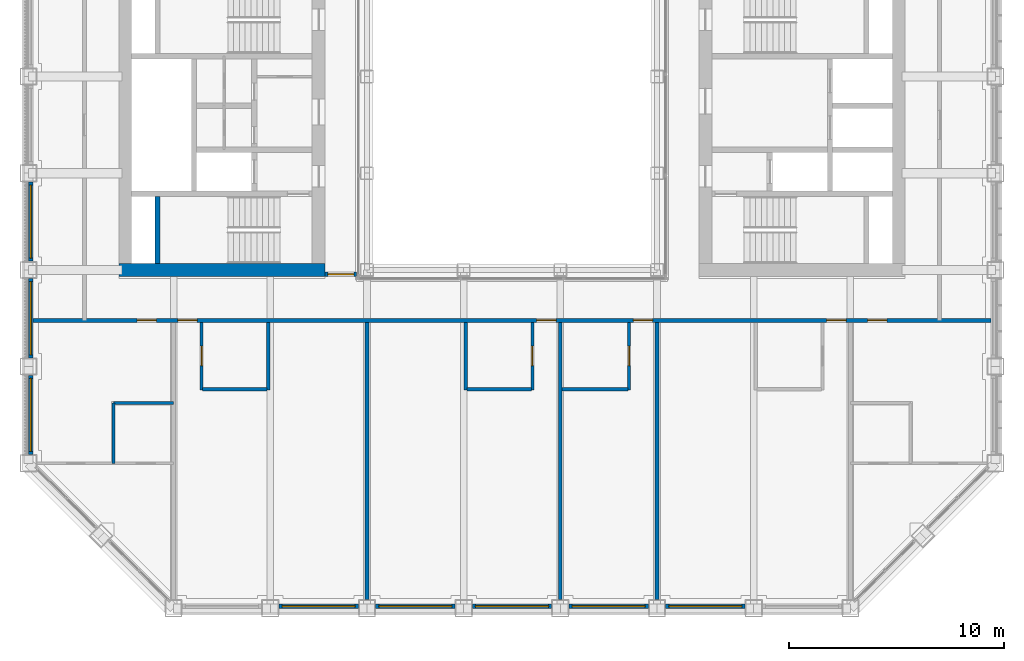
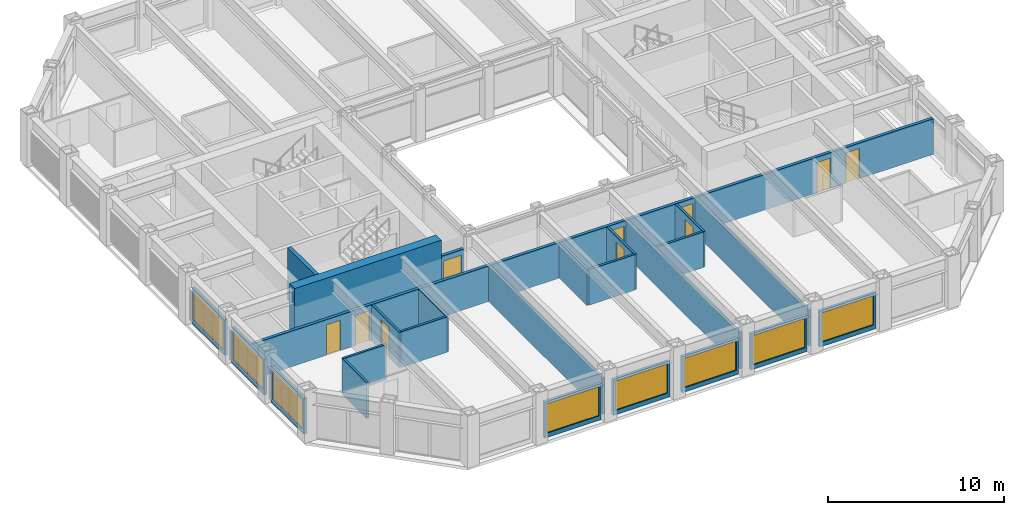
# One storey, part 10 of 17: 25 walls, 10 doors, 8 windows, 18 openings.
"""IFC4 building model written with IfcOpenShell, lengths in metres."""

from ifc_helpers import new_model, si_unit, direction, frame, frame_2d, origin, place, context, subcontext, project, spatial, rectangle, extrude, material, layer, layer_set, type_object, element, fill, save


model = new_model("IFC4")

# Units and contexts
model_context = context("Model", 3, precision=1e-05, world=origin(), true_north=direction((0.0, 1.0)))
body_context = subcontext(model_context, "Body", "Model", "MODEL_VIEW")
ifc_project = project(units=[si_unit("LENGTHUNIT", "METRE"), si_unit("AREAUNIT", "SQUARE_METRE"), si_unit("VOLUMEUNIT", "CUBIC_METRE"), si_unit("PLANEANGLEUNIT", "RADIAN"), si_unit("MASSUNIT", "GRAM", prefix="KILO")], contexts=[model_context])

# Site, building, storey
site_placement = place(None, origin())
site = spatial("IfcSite", under=ifc_project, at=site_placement, CompositionType="ELEMENT")
building_placement = place(site_placement, origin())
building = spatial("IfcBuilding", under=site, at=building_placement, Name="Msasa Ring Tower", CompositionType="ELEMENT")
storey_placement = place(building_placement, frame((0.0, 0.0, 168.800048828125)))
storey = spatial("IfcBuildingStorey", under=building, at=storey_placement, Name="L44", CompositionType="ELEMENT", Elevation=168.800048828125)

# Walls
ifc_material_1 = material(Name="Concrete C60/75", Category="concrete")
ifc_layer_1 = layer(ifc_material_1, 0.60009765625)
ifc_layer_set_1 = layer_set([ifc_layer_1], Name="CW2 CORE WALL 600")
wall_type_1 = type_object("IfcWallType", Name="CW2 CORE WALL 600", PredefinedType="SHEAR", material=ifc_layer_set_1)
wall_1_placement = place(storey_placement, frame((-8.699951171875, -6.75, 0.0), z_axis=(0.0, 0.0, 1.0), x_axis=(-1.0, 0.0, 0.0)))
element("IfcWall", 1, at=wall_1_placement, inside=storey, type_object=wall_type_1, Name="W core wall S L44", PredefinedType="SHEAR", context=body_context, shape_type="SweptSolid", body=[
    extrude(rectangle(XDim=9.60009765625, YDim=0.60009765625, at=frame_2d((4.800048828125, 0.0))), origin(), (0.0, 0.0, 1.0), 3.599853515625),
])
ifc_material_2 = material(Name="Concrete C60/75", Category="concrete")
ifc_layer_2 = layer(ifc_material_2, 0.25)
ifc_layer_set_2 = layer_set([ifc_layer_2], Name="CW4 CORE INNER WALL 250")
wall_type_2 = type_object("IfcWallType", Name="CW4 CORE INNER WALL 250", PredefinedType="SHEAR", material=ifc_layer_set_2)
wall_2_placement = place(storey_placement, frame((-16.5, -6.449951171875, 0.0), z_axis=(0.0, 0.0, 1.0), x_axis=(0.0, 1.0, 0.0)))
element("IfcWall", 2, at=wall_2_placement, inside=storey, type_object=wall_type_2, Name="W core wall RISERA L44", PredefinedType="SHEAR", context=body_context, shape_type="SweptSolid", body=[
    extrude(rectangle(XDim=3.125, YDim=0.25, at=frame_2d((1.5625, 0.0))), origin(), (0.0, 0.0, 1.0), 3.599853515625),
])

# Wall, opening, window
ifc_material_3 = material(Name="Terracotta rainscreen on blockwork", Category="masonry")
ifc_layer_3 = layer(ifc_material_3, 0.199951171875)
ifc_layer_set_3 = layer_set([ifc_layer_3], Name="FW1 TERRACOTTA-LINED INFILL BAY WALL 200")
wall_type_3 = type_object("IfcWallType", Name="FW1 TERRACOTTA-LINED INFILL BAY WALL 200", PredefinedType="SOLIDWALL", material=ifc_layer_set_3)
wall_3_placement = place(storey_placement, frame((-10.844970703125, -22.39990234375, 0.0), z_axis=(0.0, 0.0, 1.0), x_axis=(1.0, 0.0, 0.0)))
wall_3 = element("IfcWall", 3, at=wall_3_placement, inside=storey, type_object=wall_type_3, Name="Infill bay wall S L44 01", PredefinedType="SOLIDWALL", context=body_context, shape_type="SweptSolid", body=[
    extrude(rectangle(XDim=3.68994140625, YDim=0.199951171875, at=frame_2d((1.844970703125, 0.0))), origin(), (0.0, 0.0, 1.0), 2.47900390625),
])
opening_1_placement = place(wall_3_placement, frame((0.14501953125, 0.0, 0.300048828125)))
opening_1 = element("IfcOpeningElement", 4, at=opening_1_placement, cuts=wall_3, Name="Opening WN2", PredefinedType="OPENING", context=body_context, shape_type="SweptSolid", body=[
    extrude(rectangle(XDim=3.39990234375, YDim=2.029052734375, at=frame_2d((1.699951171875, 1.0146484375))), frame((0.0, 0.10986328125, 0.0), z_axis=(0.0, -1.0, 0.0), x_axis=(1.0, 0.0, 0.0)), (0.0, 0.0, 1.0), 0.219970703125),
])
ifc_material_4 = material(Name="Aluminium frame with clear glass", Category="aluminium")
window_type = type_object("IfcWindowType", Name="WN2 GUEST ROOM WINDOW 3400x2029", PartitioningType="SINGLE_PANEL", PredefinedType="WINDOW", material=ifc_material_4)
window_1_placement = place(opening_1_placement, origin())
window_1 = element("IfcWindow", 5, at=window_1_placement, inside=storey, type_object=window_type, Name="Window S L44 01", OverallHeight=2.029052734375, OverallWidth=3.39990234375, PartitioningType="SINGLE_PANEL", PredefinedType="WINDOW", context=body_context, shape_type="SweptSolid", body=[
    extrude(rectangle(XDim=3.39990234375, YDim=2.029052734375, at=frame_2d((1.699951171875, 1.0146484375))), frame((0.0, 0.030029296875, 0.0), z_axis=(0.0, -1.0, 0.0), x_axis=(1.0, 0.0, 0.0)), (0.0, 0.0, 1.0), 0.06005859375),
])
fill(opening_1, window_1)

wall_4_placement = place(storey_placement, frame((-6.344970703125, -22.39990234375, 0.0), z_axis=(0.0, 0.0, 1.0), x_axis=(1.0, 0.0, 0.0)))
wall_4 = element("IfcWall", 6, at=wall_4_placement, inside=storey, type_object=wall_type_3, Name="Infill bay wall S L44 02", PredefinedType="SOLIDWALL", context=body_context, shape_type="SweptSolid", body=[
    extrude(rectangle(XDim=3.68994140625, YDim=0.199951171875, at=frame_2d((1.844970703125, 0.0))), origin(), (0.0, 0.0, 1.0), 2.47900390625),
])
opening_2_placement = place(wall_4_placement, frame((0.14501953125, 0.0, 0.300048828125)))
opening_2 = element("IfcOpeningElement", 7, at=opening_2_placement, cuts=wall_4, Name="Opening WN2", PredefinedType="OPENING", context=body_context, shape_type="SweptSolid", body=[
    extrude(rectangle(XDim=3.39990234375, YDim=2.029052734375, at=frame_2d((1.699951171875, 1.0146484375))), frame((0.0, 0.10986328125, 0.0), z_axis=(0.0, -1.0, 0.0), x_axis=(1.0, 0.0, 0.0)), (0.0, 0.0, 1.0), 0.219970703125),
])
window_2_placement = place(opening_2_placement, origin())
window_2 = element("IfcWindow", 8, at=window_2_placement, inside=storey, type_object=window_type, Name="Window S L44 02", OverallHeight=2.029052734375, OverallWidth=3.39990234375, PartitioningType="SINGLE_PANEL", PredefinedType="WINDOW", context=body_context, shape_type="SweptSolid", body=[
    extrude(rectangle(XDim=3.39990234375, YDim=2.029052734375, at=frame_2d((1.699951171875, 1.0146484375))), frame((0.0, 0.030029296875, 0.0), z_axis=(0.0, -1.0, 0.0), x_axis=(1.0, 0.0, 0.0)), (0.0, 0.0, 1.0), 0.06005859375),
])
fill(opening_2, window_2)

wall_5_placement = place(storey_placement, frame((-1.844970703125, -22.39990234375, 0.0), z_axis=(0.0, 0.0, 1.0), x_axis=(1.0, 0.0, 0.0)))
wall_5 = element("IfcWall", 9, at=wall_5_placement, inside=storey, type_object=wall_type_3, Name="Infill bay wall S L44 03", PredefinedType="SOLIDWALL", context=body_context, shape_type="SweptSolid", body=[
    extrude(rectangle(XDim=3.68994140625, YDim=0.199951171875, at=frame_2d((1.844970703125, 0.0))), origin(), (0.0, 0.0, 1.0), 2.47900390625),
])
opening_3_placement = place(wall_5_placement, frame((0.14501953125, 0.0, 0.300048828125)))
opening_3 = element("IfcOpeningElement", 10, at=opening_3_placement, cuts=wall_5, Name="Opening WN2", PredefinedType="OPENING", context=body_context, shape_type="SweptSolid", body=[
    extrude(rectangle(XDim=3.39990234375, YDim=2.029052734375, at=frame_2d((1.699951171875, 1.0146484375))), frame((0.0, 0.10986328125, 0.0), z_axis=(0.0, -1.0, 0.0), x_axis=(1.0, 0.0, 0.0)), (0.0, 0.0, 1.0), 0.219970703125),
])
window_3_placement = place(opening_3_placement, origin())
window_3 = element("IfcWindow", 11, at=window_3_placement, inside=storey, type_object=window_type, Name="Window S L44 03", OverallHeight=2.029052734375, OverallWidth=3.39990234375, PartitioningType="SINGLE_PANEL", PredefinedType="WINDOW", context=body_context, shape_type="SweptSolid", body=[
    extrude(rectangle(XDim=3.39990234375, YDim=2.029052734375, at=frame_2d((1.699951171875, 1.0146484375))), frame((0.0, 0.030029296875, 0.0), z_axis=(0.0, -1.0, 0.0), x_axis=(1.0, 0.0, 0.0)), (0.0, 0.0, 1.0), 0.06005859375),
])
fill(opening_3, window_3)

wall_6_placement = place(storey_placement, frame((2.655029296875, -22.39990234375, 0.0), z_axis=(0.0, 0.0, 1.0), x_axis=(1.0, 0.0, 0.0)))
wall_6 = element("IfcWall", 12, at=wall_6_placement, inside=storey, type_object=wall_type_3, Name="Infill bay wall S L44 04", PredefinedType="SOLIDWALL", context=body_context, shape_type="SweptSolid", body=[
    extrude(rectangle(XDim=3.68994140625, YDim=0.199951171875, at=frame_2d((1.844970703125, 0.0))), origin(), (0.0, 0.0, 1.0), 2.47900390625),
])
opening_4_placement = place(wall_6_placement, frame((0.14501953125, 0.0, 0.300048828125)))
opening_4 = element("IfcOpeningElement", 13, at=opening_4_placement, cuts=wall_6, Name="Opening WN2", PredefinedType="OPENING", context=body_context, shape_type="SweptSolid", body=[
    extrude(rectangle(XDim=3.39990234375, YDim=2.029052734375, at=frame_2d((1.699951171875, 1.0146484375))), frame((0.0, 0.10986328125, 0.0), z_axis=(0.0, -1.0, 0.0), x_axis=(1.0, 0.0, 0.0)), (0.0, 0.0, 1.0), 0.219970703125),
])
window_4_placement = place(opening_4_placement, origin())
window_4 = element("IfcWindow", 14, at=window_4_placement, inside=storey, type_object=window_type, Name="Window S L44 04", OverallHeight=2.029052734375, OverallWidth=3.39990234375, PartitioningType="SINGLE_PANEL", PredefinedType="WINDOW", context=body_context, shape_type="SweptSolid", body=[
    extrude(rectangle(XDim=3.39990234375, YDim=2.029052734375, at=frame_2d((1.699951171875, 1.0146484375))), frame((0.0, 0.030029296875, 0.0), z_axis=(0.0, -1.0, 0.0), x_axis=(1.0, 0.0, 0.0)), (0.0, 0.0, 1.0), 0.06005859375),
])
fill(opening_4, window_4)

wall_7_placement = place(storey_placement, frame((7.155029296875, -22.39990234375, 0.0), z_axis=(0.0, 0.0, 1.0), x_axis=(1.0, 0.0, 0.0)))
wall_7 = element("IfcWall", 15, at=wall_7_placement, inside=storey, type_object=wall_type_3, Name="Infill bay wall S L44 05", PredefinedType="SOLIDWALL", context=body_context, shape_type="SweptSolid", body=[
    extrude(rectangle(XDim=3.68994140625, YDim=0.199951171875, at=frame_2d((1.844970703125, 0.0))), origin(), (0.0, 0.0, 1.0), 2.47900390625),
])
opening_5_placement = place(wall_7_placement, frame((0.14501953125, 0.0, 0.300048828125)))
opening_5 = element("IfcOpeningElement", 16, at=opening_5_placement, cuts=wall_7, Name="Opening WN2", PredefinedType="OPENING", context=body_context, shape_type="SweptSolid", body=[
    extrude(rectangle(XDim=3.39990234375, YDim=2.029052734375, at=frame_2d((1.699951171875, 1.0146484375))), frame((0.0, 0.10986328125, 0.0), z_axis=(0.0, -1.0, 0.0), x_axis=(1.0, 0.0, 0.0)), (0.0, 0.0, 1.0), 0.219970703125),
])
window_5_placement = place(opening_5_placement, origin())
window_5 = element("IfcWindow", 17, at=window_5_placement, inside=storey, type_object=window_type, Name="Window S L44 05", OverallHeight=2.029052734375, OverallWidth=3.39990234375, PartitioningType="SINGLE_PANEL", PredefinedType="WINDOW", context=body_context, shape_type="SweptSolid", body=[
    extrude(rectangle(XDim=3.39990234375, YDim=2.029052734375, at=frame_2d((1.699951171875, 1.0146484375))), frame((0.0, 0.030029296875, 0.0), z_axis=(0.0, -1.0, 0.0), x_axis=(1.0, 0.0, 0.0)), (0.0, 0.0, 1.0), 0.06005859375),
])
fill(opening_5, window_5)

wall_8_placement = place(storey_placement, frame((-22.39990234375, -15.344970703125, 0.0), z_axis=(0.0, 0.0, 1.0), x_axis=(0.0, 1.0, 0.0)))
wall_8 = element("IfcWall", 18, at=wall_8_placement, inside=storey, type_object=wall_type_3, Name="Infill bay wall W L44 27", PredefinedType="SOLIDWALL", context=body_context, shape_type="SweptSolid", body=[
    extrude(rectangle(XDim=3.68994140625, YDim=0.199951171875, at=frame_2d((1.844970703125, 0.0))), origin(), (0.0, 0.0, 1.0), 2.47900390625),
])
opening_6_placement = place(wall_8_placement, frame((0.14501953125, 0.0, 0.300048828125)))
opening_6 = element("IfcOpeningElement", 19, at=opening_6_placement, cuts=wall_8, Name="Opening WN2", PredefinedType="OPENING", context=body_context, shape_type="SweptSolid", body=[
    extrude(rectangle(XDim=3.39990234375, YDim=2.029052734375, at=frame_2d((1.699951171875, 1.0146484375))), frame((0.0, 0.10986328125, 0.0), z_axis=(0.0, -1.0, 0.0), x_axis=(1.0, 0.0, 0.0)), (0.0, 0.0, 1.0), 0.219970703125),
])
window_6_placement = place(opening_6_placement, origin())
window_6 = element("IfcWindow", 20, at=window_6_placement, inside=storey, type_object=window_type, Name="Window W L44 27", OverallHeight=2.029052734375, OverallWidth=3.39990234375, PartitioningType="SINGLE_PANEL", PredefinedType="WINDOW", context=body_context, shape_type="SweptSolid", body=[
    extrude(rectangle(XDim=3.39990234375, YDim=2.029052734375, at=frame_2d((1.699951171875, 1.0146484375))), frame((0.0, 0.030029296875, 0.0), z_axis=(0.0, -1.0, 0.0), x_axis=(1.0, 0.0, 0.0)), (0.0, 0.0, 1.0), 0.06005859375),
])
fill(opening_6, window_6)

wall_9_placement = place(storey_placement, frame((-22.39990234375, -10.844970703125, 0.0), z_axis=(0.0, 0.0, 1.0), x_axis=(0.0, 1.0, 0.0)))
wall_9 = element("IfcWall", 21, at=wall_9_placement, inside=storey, type_object=wall_type_3, Name="Infill bay wall W L44 28", PredefinedType="SOLIDWALL", context=body_context, shape_type="SweptSolid", body=[
    extrude(rectangle(XDim=3.68994140625, YDim=0.199951171875, at=frame_2d((1.844970703125, 0.0))), origin(), (0.0, 0.0, 1.0), 2.47900390625),
])
opening_7_placement = place(wall_9_placement, frame((0.14501953125, 0.0, 0.300048828125)))
opening_7 = element("IfcOpeningElement", 22, at=opening_7_placement, cuts=wall_9, Name="Opening WN2", PredefinedType="OPENING", context=body_context, shape_type="SweptSolid", body=[
    extrude(rectangle(XDim=3.39990234375, YDim=2.029052734375, at=frame_2d((1.699951171875, 1.0146484375))), frame((0.0, 0.10986328125, 0.0), z_axis=(0.0, -1.0, 0.0), x_axis=(1.0, 0.0, 0.0)), (0.0, 0.0, 1.0), 0.219970703125),
])
window_7_placement = place(opening_7_placement, origin())
window_7 = element("IfcWindow", 23, at=window_7_placement, inside=storey, type_object=window_type, Name="Window W L44 28", OverallHeight=2.029052734375, OverallWidth=3.39990234375, PartitioningType="SINGLE_PANEL", PredefinedType="WINDOW", context=body_context, shape_type="SweptSolid", body=[
    extrude(rectangle(XDim=3.39990234375, YDim=2.029052734375, at=frame_2d((1.699951171875, 1.0146484375))), frame((0.0, 0.030029296875, 0.0), z_axis=(0.0, -1.0, 0.0), x_axis=(1.0, 0.0, 0.0)), (0.0, 0.0, 1.0), 0.06005859375),
])
fill(opening_7, window_7)

wall_10_placement = place(storey_placement, frame((-22.39990234375, -6.344970703125, 0.0), z_axis=(0.0, 0.0, 1.0), x_axis=(0.0, 1.0, 0.0)))
wall_10 = element("IfcWall", 24, at=wall_10_placement, inside=storey, type_object=wall_type_3, Name="Infill bay wall W L44 29", PredefinedType="SOLIDWALL", context=body_context, shape_type="SweptSolid", body=[
    extrude(rectangle(XDim=3.68994140625, YDim=0.199951171875, at=frame_2d((1.844970703125, 0.0))), origin(), (0.0, 0.0, 1.0), 2.47900390625),
])
opening_8_placement = place(wall_10_placement, frame((0.14501953125, 0.0, 0.300048828125)))
opening_8 = element("IfcOpeningElement", 25, at=opening_8_placement, cuts=wall_10, Name="Opening WN2", PredefinedType="OPENING", context=body_context, shape_type="SweptSolid", body=[
    extrude(rectangle(XDim=3.39990234375, YDim=2.029052734375, at=frame_2d((1.699951171875, 1.0146484375))), frame((0.0, 0.10986328125, 0.0), z_axis=(0.0, -1.0, 0.0), x_axis=(1.0, 0.0, 0.0)), (0.0, 0.0, 1.0), 0.219970703125),
])
window_8_placement = place(opening_8_placement, origin())
window_8 = element("IfcWindow", 26, at=window_8_placement, inside=storey, type_object=window_type, Name="Window W L44 29", OverallHeight=2.029052734375, OverallWidth=3.39990234375, PartitioningType="SINGLE_PANEL", PredefinedType="WINDOW", context=body_context, shape_type="SweptSolid", body=[
    extrude(rectangle(XDim=3.39990234375, YDim=2.029052734375, at=frame_2d((1.699951171875, 1.0146484375))), frame((0.0, 0.030029296875, 0.0), z_axis=(0.0, -1.0, 0.0), x_axis=(1.0, 0.0, 0.0)), (0.0, 0.0, 1.0), 0.06005859375),
])
fill(opening_8, window_8)

# Wall, opening, door
ifc_material_5 = material(Name="Concrete blockwork", Category="masonry")
ifc_layer_4 = layer(ifc_material_5, 0.199951171875)
ifc_layer_set_4 = layer_set([ifc_layer_4], Name="PT1 CORRIDOR WALL 200")
wall_type_4 = type_object("IfcWallType", Name="PT1 CORRIDOR WALL 200", PredefinedType="PARTITIONING", material=ifc_layer_set_4)
wall_11_placement = place(storey_placement, frame((-8.699951171875, -6.949951171875, 0.0), z_axis=(0.0, 0.0, 1.0), x_axis=(1.0, 0.0, 0.0)))
wall_11 = element("IfcWall", 27, at=wall_11_placement, inside=storey, type_object=wall_type_4, Name="Corridor wall L44-SDWS", PredefinedType="PARTITIONING", context=body_context, shape_type="SweptSolid", body=[
    extrude(rectangle(XDim=1.469970703125, YDim=0.199951171875, at=frame_2d((0.73486328125, 0.0))), origin(), (0.0, 0.0, 1.0), 2.473388671875),
])
opening_9_placement = place(wall_11_placement, frame((0.135009765625, 0.0, 0.0)))
opening_9 = element("IfcOpeningElement", 28, at=opening_9_placement, cuts=wall_11, Name="Opening HE-031", PredefinedType="OPENING", context=body_context, shape_type="SweptSolid", body=[
    extrude(rectangle(XDim=1.199951171875, YDim=2.10009765625, at=frame_2d((0.60009765625, 1.050048828125))), frame((0.0, 0.10986328125, 0.0), z_axis=(0.0, -1.0, 0.0), x_axis=(1.0, 0.0, 0.0)), (0.0, 0.0, 1.0), 0.219970703125),
])
ifc_material_6 = material(Name="Timber door leaf in a steel frame", Category="steel")
door_type_1 = type_object("IfcDoorType", Name="D25 CORRIDOR PAIR OF SMOKE DOORS 1200x2100", OperationType="DOUBLE_DOOR_DOUBLE_SWING", PredefinedType="DOOR", material=ifc_material_6)
door_1_placement = place(opening_9_placement, origin())
door_1 = element("IfcDoor", 29, at=door_1_placement, inside=storey, type_object=door_type_1, Name="Door L44-SDWS", OperationType="DOUBLE_DOOR_DOUBLE_SWING", OverallHeight=2.10009765625, OverallWidth=1.199951171875, PredefinedType="DOOR", context=body_context, shape_type="SweptSolid", body=[
    extrude(rectangle(XDim=1.199951171875, YDim=2.10009765625, at=frame_2d((0.60009765625, 1.050048828125))), frame((0.0, 0.02490234375, 0.0), z_axis=(0.0, -1.0, 0.0), x_axis=(1.0, 0.0, 0.0)), (0.0, 0.0, 1.0), 0.050048828125),
])
fill(opening_9, door_1)

# Wall, openings, doors
wall_12_placement = place(storey_placement, frame((-22.300048828125, -9.10009765625, 0.0), z_axis=(0.0, 0.0, 1.0), x_axis=(1.0, 0.0, 0.0)))
wall_12 = element("IfcWall", 30, at=wall_12_placement, inside=storey, type_object=wall_type_4, Name="Corridor wall L44-CORRS0", PredefinedType="PARTITIONING", context=body_context, shape_type="SweptSolid", body=[
    extrude(rectangle(XDim=44.60009765625, YDim=0.199951171875, at=frame_2d((22.300048828125, 0.0))), origin(), (0.0, 0.0, 1.0), 2.473388671875),
])
opening_10_placement = place(wall_12_placement, frame((6.75, 0.0, 0.0)))
opening_10 = element("IfcOpeningElement", 31, at=opening_10_placement, cuts=wall_12, Name="Opening HE-033", PredefinedType="OPENING", context=body_context, shape_type="SweptSolid", body=[
    extrude(rectangle(XDim=0.89990234375, YDim=2.10009765625, at=frame_2d((0.449951171875, 1.050048828125))), frame((0.0, 0.10986328125, 0.0), z_axis=(0.0, -1.0, 0.0), x_axis=(1.0, 0.0, 0.0)), (0.0, 0.0, 1.0), 0.219970703125),
])
opening_11_placement = place(wall_12_placement, frame((23.449951171875, 0.0, 0.0)))
opening_11 = element("IfcOpeningElement", 32, at=opening_11_placement, cuts=wall_12, Name="Opening HE-034", PredefinedType="OPENING", context=body_context, shape_type="SweptSolid", body=[
    extrude(rectangle(XDim=0.89990234375, YDim=2.10009765625, at=frame_2d((0.449951171875, 1.050048828125))), frame((0.0, 0.10986328125, 0.0), z_axis=(0.0, -1.0, 0.0), x_axis=(1.0, 0.0, 0.0)), (0.0, 0.0, 1.0), 0.219970703125),
])
opening_12_placement = place(wall_12_placement, frame((27.949951171875, 0.0, 0.0)))
opening_12 = element("IfcOpeningElement", 33, at=opening_12_placement, cuts=wall_12, Name="Opening HE-035", PredefinedType="OPENING", context=body_context, shape_type="SweptSolid", body=[
    extrude(rectangle(XDim=0.89990234375, YDim=2.10009765625, at=frame_2d((0.449951171875, 1.050048828125))), frame((0.0, 0.10986328125, 0.0), z_axis=(0.0, -1.0, 0.0), x_axis=(1.0, 0.0, 0.0)), (0.0, 0.0, 1.0), 0.219970703125),
])
opening_13_placement = place(wall_12_placement, frame((36.949951171875, 0.0, 0.0)))
opening_13 = element("IfcOpeningElement", 34, at=opening_13_placement, cuts=wall_12, Name="Opening HE-036", PredefinedType="OPENING", context=body_context, shape_type="SweptSolid", body=[
    extrude(rectangle(XDim=0.89990234375, YDim=2.10009765625, at=frame_2d((0.449951171875, 1.050048828125))), frame((0.0, 0.10986328125, 0.0), z_axis=(0.0, -1.0, 0.0), x_axis=(1.0, 0.0, 0.0)), (0.0, 0.0, 1.0), 0.219970703125),
])
opening_14_placement = place(wall_12_placement, frame((38.85009765625, 0.0, 0.0)))
opening_14 = element("IfcOpeningElement", 35, at=opening_14_placement, cuts=wall_12, Name="Opening HE-037", PredefinedType="OPENING", context=body_context, shape_type="SweptSolid", body=[
    extrude(rectangle(XDim=0.89990234375, YDim=2.10009765625, at=frame_2d((0.449951171875, 1.050048828125))), frame((0.0, 0.10986328125, 0.0), z_axis=(0.0, -1.0, 0.0), x_axis=(1.0, 0.0, 0.0)), (0.0, 0.0, 1.0), 0.219970703125),
])
opening_15_placement = place(wall_12_placement, frame((4.85009765625, 0.0, 0.0)))
opening_15 = element("IfcOpeningElement", 36, at=opening_15_placement, cuts=wall_12, Name="Opening HE-032", PredefinedType="OPENING", context=body_context, shape_type="SweptSolid", body=[
    extrude(rectangle(XDim=0.89990234375, YDim=2.10009765625, at=frame_2d((0.449951171875, 1.050048828125))), frame((0.0, 0.10986328125, 0.0), z_axis=(0.0, -1.0, 0.0), x_axis=(1.0, 0.0, 0.0)), (0.0, 0.0, 1.0), 0.219970703125),
])
ifc_material_7 = material(Name="Timber door leaf in a steel frame", Category="steel")
door_type_2 = type_object("IfcDoorType", Name="D1 SINGLE DOOR TO CORRIDOR 900x2100", OperationType="SINGLE_SWING_LEFT", PredefinedType="DOOR", material=ifc_material_7)
door_2_placement = place(opening_10_placement, origin())
door_2 = element("IfcDoor", 37, at=door_2_placement, inside=storey, type_object=door_type_2, Name="Door L44-GS00", OperationType="SINGLE_SWING_LEFT", OverallHeight=2.10009765625, OverallWidth=0.89990234375, PredefinedType="DOOR", context=body_context, shape_type="SweptSolid", body=[
    extrude(rectangle(XDim=0.89990234375, YDim=2.10009765625, at=frame_2d((0.449951171875, 1.050048828125))), frame((0.0, 0.02490234375, 0.0), z_axis=(0.0, -1.0, 0.0), x_axis=(1.0, 0.0, 0.0)), (0.0, 0.0, 1.0), 0.050048828125),
])
fill(opening_10, door_2)
door_3_placement = place(opening_11_placement, origin())
door_3 = element("IfcDoor", 38, at=door_3_placement, inside=storey, type_object=door_type_2, Name="Door L44-GS01", OperationType="SINGLE_SWING_RIGHT", OverallHeight=2.10009765625, OverallWidth=0.89990234375, PredefinedType="DOOR", context=body_context, shape_type="SweptSolid", body=[
    extrude(rectangle(XDim=0.89990234375, YDim=2.10009765625, at=frame_2d((0.449951171875, 1.050048828125))), frame((0.0, 0.02490234375, 0.0), z_axis=(0.0, -1.0, 0.0), x_axis=(1.0, 0.0, 0.0)), (0.0, 0.0, 1.0), 0.050048828125),
])
fill(opening_11, door_3)
door_4_placement = place(opening_12_placement, origin())
door_4 = element("IfcDoor", 39, at=door_4_placement, inside=storey, type_object=door_type_2, Name="Door L44-GS02", OperationType="SINGLE_SWING_RIGHT", OverallHeight=2.10009765625, OverallWidth=0.89990234375, PredefinedType="DOOR", context=body_context, shape_type="SweptSolid", body=[
    extrude(rectangle(XDim=0.89990234375, YDim=2.10009765625, at=frame_2d((0.449951171875, 1.050048828125))), frame((0.0, 0.02490234375, 0.0), z_axis=(0.0, -1.0, 0.0), x_axis=(1.0, 0.0, 0.0)), (0.0, 0.0, 1.0), 0.050048828125),
])
fill(opening_12, door_4)
door_5_placement = place(opening_13_placement, origin())
door_5 = element("IfcDoor", 40, at=door_5_placement, inside=storey, type_object=door_type_2, Name="Door L44-GS03", OperationType="SINGLE_SWING_RIGHT", OverallHeight=2.10009765625, OverallWidth=0.89990234375, PredefinedType="DOOR", context=body_context, shape_type="SweptSolid", body=[
    extrude(rectangle(XDim=0.89990234375, YDim=2.10009765625, at=frame_2d((0.449951171875, 1.050048828125))), frame((0.0, 0.02490234375, 0.0), z_axis=(0.0, -1.0, 0.0), x_axis=(1.0, 0.0, 0.0)), (0.0, 0.0, 1.0), 0.050048828125),
])
fill(opening_13, door_5)
ifc_material_8 = material(Name="Timber door leaf in a steel frame", Category="steel")
door_type_3 = type_object("IfcDoorType", Name="D2 ENTRANCE DOOR 900x2100", OperationType="SINGLE_SWING_LEFT", PredefinedType="DOOR", material=ifc_material_8)
door_6_placement = place(opening_14_placement, origin())
door_6 = element("IfcDoor", 41, at=door_6_placement, inside=storey, type_object=door_type_3, Name="Door L44-CSSE", OperationType="SINGLE_SWING_RIGHT", OverallHeight=2.10009765625, OverallWidth=0.89990234375, PredefinedType="DOOR", context=body_context, shape_type="SweptSolid", body=[
    extrude(rectangle(XDim=0.89990234375, YDim=2.10009765625, at=frame_2d((0.449951171875, 1.050048828125))), frame((0.0, 0.02490234375, 0.0), z_axis=(0.0, -1.0, 0.0), x_axis=(1.0, 0.0, 0.0)), (0.0, 0.0, 1.0), 0.050048828125),
])
fill(opening_14, door_6)
door_7_placement = place(opening_15_placement, origin())
door_7 = element("IfcDoor", 42, at=door_7_placement, inside=storey, type_object=door_type_3, Name="Door L44-CSSW", OperationType="SINGLE_SWING_LEFT", OverallHeight=2.10009765625, OverallWidth=0.89990234375, PredefinedType="DOOR", context=body_context, shape_type="SweptSolid", body=[
    extrude(rectangle(XDim=0.89990234375, YDim=2.10009765625, at=frame_2d((0.449951171875, 1.050048828125))), frame((0.0, 0.02490234375, 0.0), z_axis=(0.0, -1.0, 0.0), x_axis=(1.0, 0.0, 0.0)), (0.0, 0.0, 1.0), 0.050048828125),
])
fill(opening_15, door_7)

# Wall, opening, door
ifc_material_9 = material(Name="Moisture-resistant board on steel studs with a concealed cistern and pipe void, tiled", Category="steel")
ifc_layer_5 = layer(ifc_material_9, 0.14990234375)
ifc_layer_set_5 = layer_set([ifc_layer_5], Name="PT4 BATHROOM WET WALL 150")
wall_type_5 = type_object("IfcWallType", Name="PT4 BATHROOM WET WALL 150", PredefinedType="PARTITIONING", material=ifc_layer_set_5)
wall_13_placement = place(storey_placement, frame((-14.449951171875, -12.35009765625, 0.0), z_axis=(0.0, 0.0, 1.0), x_axis=(0.0, 1.0, 0.0)))
wall_13 = element("IfcWall", 43, at=wall_13_placement, inside=storey, type_object=wall_type_5, Name="Partition L44-GS00BX", PredefinedType="PARTITIONING", context=body_context, shape_type="SweptSolid", body=[
    extrude(rectangle(XDim=3.150146484375, YDim=0.14990234375, at=frame_2d((1.5751953125, 0.0))), origin(), (0.0, 0.0, 1.0), 2.473388671875),
])
opening_16_placement = place(wall_13_placement, frame((1.14990234375, 0.0, 0.0)))
opening_16 = element("IfcOpeningElement", 44, at=opening_16_placement, cuts=wall_13, Name="Opening HE-038", PredefinedType="OPENING", context=body_context, shape_type="SweptSolid", body=[
    extrude(rectangle(XDim=0.89990234375, YDim=2.10009765625, at=frame_2d((0.449951171875, 1.050048828125))), frame((0.0, 0.0849609375, 0.0), z_axis=(0.0, -1.0, 0.0), x_axis=(1.0, 0.0, 0.0)), (0.0, 0.0, 1.0), 0.169921875),
])
ifc_material_10 = material(Name="Timber door leaf in a steel frame", Category="steel")
door_type_4 = type_object("IfcDoorType", Name="D3 BATHROOM DOOR 900x2100", OperationType="SINGLE_SWING_LEFT", PredefinedType="DOOR", material=ifc_material_10)
door_8_placement = place(opening_16_placement, origin())
door_8 = element("IfcDoor", 45, at=door_8_placement, inside=storey, type_object=door_type_4, Name="Door L44-GS00B", OperationType="SINGLE_SWING_LEFT", OverallHeight=2.10009765625, OverallWidth=0.89990234375, PredefinedType="DOOR", context=body_context, shape_type="SweptSolid", body=[
    extrude(rectangle(XDim=0.89990234375, YDim=2.10009765625, at=frame_2d((0.449951171875, 1.050048828125))), frame((0.0, 0.02490234375, 0.0), z_axis=(0.0, -1.0, 0.0), x_axis=(1.0, 0.0, 0.0)), (0.0, 0.0, 1.0), 0.050048828125),
])
fill(opening_16, door_8)

# Walls
wall_14_placement = place(storey_placement, frame((-11.35009765625, -12.35009765625, 0.0), z_axis=(0.0, 0.0, 1.0), x_axis=(0.0, 1.0, 0.0)))
element("IfcWall", 46, at=wall_14_placement, inside=storey, type_object=wall_type_5, Name="Partition L44-GS00BF", PredefinedType="PARTITIONING", context=body_context, shape_type="SweptSolid", body=[
    extrude(rectangle(XDim=3.150146484375, YDim=0.14990234375, at=frame_2d((1.5751953125, 0.0))), origin(), (0.0, 0.0, 1.0), 2.473388671875),
])
wall_15_placement = place(storey_placement, frame((-14.39990234375, -12.300048828125, 0.0), z_axis=(0.0, 0.0, 1.0), x_axis=(1.0, 0.0, 0.0)))
element("IfcWall", 47, at=wall_15_placement, inside=storey, type_object=wall_type_5, Name="Partition L44-GS00BY", PredefinedType="PARTITIONING", context=body_context, shape_type="SweptSolid", body=[
    extrude(rectangle(XDim=3.0, YDim=0.14990234375, at=frame_2d((1.5, 0.0))), origin(), (0.0, 0.0, 1.0), 2.473388671875),
])

# Wall, opening, door
wall_16_placement = place(storey_placement, frame((0.949951171875, -12.35009765625, 0.0), z_axis=(0.0, 0.0, 1.0), x_axis=(0.0, 1.0, 0.0)))
wall_16 = element("IfcWall", 48, at=wall_16_placement, inside=storey, type_object=wall_type_5, Name="Partition L44-GS01BX", PredefinedType="PARTITIONING", context=body_context, shape_type="SweptSolid", body=[
    extrude(rectangle(XDim=3.150146484375, YDim=0.14990234375, at=frame_2d((1.5751953125, 0.0))), origin(), (0.0, 0.0, 1.0), 2.473388671875),
])
opening_17_placement = place(wall_16_placement, frame((1.14990234375, 0.0, 0.0)))
opening_17 = element("IfcOpeningElement", 49, at=opening_17_placement, cuts=wall_16, Name="Opening HE-039", PredefinedType="OPENING", context=body_context, shape_type="SweptSolid", body=[
    extrude(rectangle(XDim=0.89990234375, YDim=2.10009765625, at=frame_2d((0.449951171875, 1.050048828125))), frame((0.0, 0.0849609375, 0.0), z_axis=(0.0, -1.0, 0.0), x_axis=(1.0, 0.0, 0.0)), (0.0, 0.0, 1.0), 0.169921875),
])
door_9_placement = place(opening_17_placement, origin())
door_9 = element("IfcDoor", 50, at=door_9_placement, inside=storey, type_object=door_type_4, Name="Door L44-GS01B", OperationType="SINGLE_SWING_LEFT", OverallHeight=2.10009765625, OverallWidth=0.89990234375, PredefinedType="DOOR", context=body_context, shape_type="SweptSolid", body=[
    extrude(rectangle(XDim=0.89990234375, YDim=2.10009765625, at=frame_2d((0.449951171875, 1.050048828125))), frame((0.0, 0.02490234375, 0.0), z_axis=(0.0, -1.0, 0.0), x_axis=(1.0, 0.0, 0.0)), (0.0, 0.0, 1.0), 0.050048828125),
])
fill(opening_17, door_9)

# Walls
wall_17_placement = place(storey_placement, frame((-2.14990234375, -12.35009765625, 0.0), z_axis=(0.0, 0.0, 1.0), x_axis=(0.0, 1.0, 0.0)))
element("IfcWall", 51, at=wall_17_placement, inside=storey, type_object=wall_type_5, Name="Partition L44-GS01BF", PredefinedType="PARTITIONING", context=body_context, shape_type="SweptSolid", body=[
    extrude(rectangle(XDim=3.150146484375, YDim=0.14990234375, at=frame_2d((1.5751953125, 0.0))), origin(), (0.0, 0.0, 1.0), 2.473388671875),
])
wall_18_placement = place(storey_placement, frame((-2.10009765625, -12.300048828125, 0.0), z_axis=(0.0, 0.0, 1.0), x_axis=(1.0, 0.0, 0.0)))
element("IfcWall", 52, at=wall_18_placement, inside=storey, type_object=wall_type_5, Name="Partition L44-GS01BY", PredefinedType="PARTITIONING", context=body_context, shape_type="SweptSolid", body=[
    extrude(rectangle(XDim=3.0, YDim=0.14990234375, at=frame_2d((1.5, 0.0))), origin(), (0.0, 0.0, 1.0), 2.473388671875),
])

# Wall, opening, door
wall_19_placement = place(storey_placement, frame((5.449951171875, -12.35009765625, 0.0), z_axis=(0.0, 0.0, 1.0), x_axis=(0.0, 1.0, 0.0)))
wall_19 = element("IfcWall", 53, at=wall_19_placement, inside=storey, type_object=wall_type_5, Name="Partition L44-GS02BX", PredefinedType="PARTITIONING", context=body_context, shape_type="SweptSolid", body=[
    extrude(rectangle(XDim=3.150146484375, YDim=0.14990234375, at=frame_2d((1.5751953125, 0.0))), origin(), (0.0, 0.0, 1.0), 2.473388671875),
])
opening_18_placement = place(wall_19_placement, frame((1.14990234375, 0.0, 0.0)))
opening_18 = element("IfcOpeningElement", 54, at=opening_18_placement, cuts=wall_19, Name="Opening HE-040", PredefinedType="OPENING", context=body_context, shape_type="SweptSolid", body=[
    extrude(rectangle(XDim=0.89990234375, YDim=2.10009765625, at=frame_2d((0.449951171875, 1.050048828125))), frame((0.0, 0.0849609375, 0.0), z_axis=(0.0, -1.0, 0.0), x_axis=(1.0, 0.0, 0.0)), (0.0, 0.0, 1.0), 0.169921875),
])
door_10_placement = place(opening_18_placement, origin())
door_10 = element("IfcDoor", 55, at=door_10_placement, inside=storey, type_object=door_type_4, Name="Door L44-GS02B", OperationType="SINGLE_SWING_LEFT", OverallHeight=2.10009765625, OverallWidth=0.89990234375, PredefinedType="DOOR", context=body_context, shape_type="SweptSolid", body=[
    extrude(rectangle(XDim=0.89990234375, YDim=2.10009765625, at=frame_2d((0.449951171875, 1.050048828125))), frame((0.0, 0.02490234375, 0.0), z_axis=(0.0, -1.0, 0.0), x_axis=(1.0, 0.0, 0.0)), (0.0, 0.0, 1.0), 0.050048828125),
])
fill(opening_18, door_10)

# Walls
wall_20_placement = place(storey_placement, frame((2.33740234375, -12.300048828125, 0.0), z_axis=(0.0, 0.0, 1.0), x_axis=(1.0, 0.0, 0.0)))
element("IfcWall", 56, at=wall_20_placement, inside=storey, type_object=wall_type_5, Name="Partition L44-GS02BY", PredefinedType="PARTITIONING", context=body_context, shape_type="SweptSolid", body=[
    extrude(rectangle(XDim=3.0625, YDim=0.14990234375, at=frame_2d((1.53125, 0.0))), origin(), (0.0, 0.0, 1.0), 2.473388671875),
])
for number, where, z_axis, x_axis, name in (
    (57, (-18.550048828125, -15.75, 0.0), (0.0, 0.0, 1.0), (0.0, 1.0, 0.0), "Partition L44-CSSWBX"),
    (58, (-18.550048828125, -12.949951171875, 0.0), (0.0, 0.0, 1.0), (1.0, 0.0, 0.0), "Partition L44-CSSWBY"),
):
    element("IfcWall", number, at=place(storey_placement, frame(where, z_axis=z_axis, x_axis=x_axis)), inside=storey, type_object=wall_type_5, Name=name, PredefinedType="PARTITIONING", context=body_context, shape_type="SweptSolid", body=[
        extrude(rectangle(XDim=2.800048828125, YDim=0.14990234375, at=frame_2d((1.39990234375, 0.0))), origin(), (0.0, 0.0, 1.0), 2.473388671875),
    ])
ifc_material_11 = material(Name="Twin steel studs, two layers of acoustic board each face, mineral wool", Category="steel")
ifc_layer_6 = layer(ifc_material_11, 0.175048828125)
ifc_layer_set_6 = layer_set([ifc_layer_6], Name="PT5 GUEST ROOM SEPARATING WALL 175")
wall_type_6 = type_object("IfcWallType", Name="PT5 GUEST ROOM SEPARATING WALL 175", PredefinedType="PARTITIONING", material=ifc_layer_set_6)
for number, where, z_axis, x_axis, name in (
    (59, (-6.75, -22.10009765625, 0.0), (0.0, 0.0, 1.0), (0.0, 1.0, 0.0), "Partition L44-PWS-6.75"),
    (60, (2.25, -22.10009765625, 0.0), (0.0, 0.0, 1.0), (0.0, 1.0, 0.0), "Partition L44-PWS+2.25"),
    (61, (6.75, -22.10009765625, 0.0), (0.0, 0.0, 1.0), (0.0, 1.0, 0.0), "Partition L44-PWS+6.75"),
):
    element("IfcWall", number, at=place(storey_placement, frame(where, z_axis=z_axis, x_axis=x_axis)), inside=storey, type_object=wall_type_6, Name=name, PredefinedType="PARTITIONING", context=body_context, shape_type="SweptSolid", body=[
        extrude(rectangle(XDim=12.900146484375, YDim=0.175048828125, at=frame_2d((6.4501953125, 0.0))), origin(), (0.0, 0.0, 1.0), 2.473388671875),
    ])

save(model, "model.ifc")
